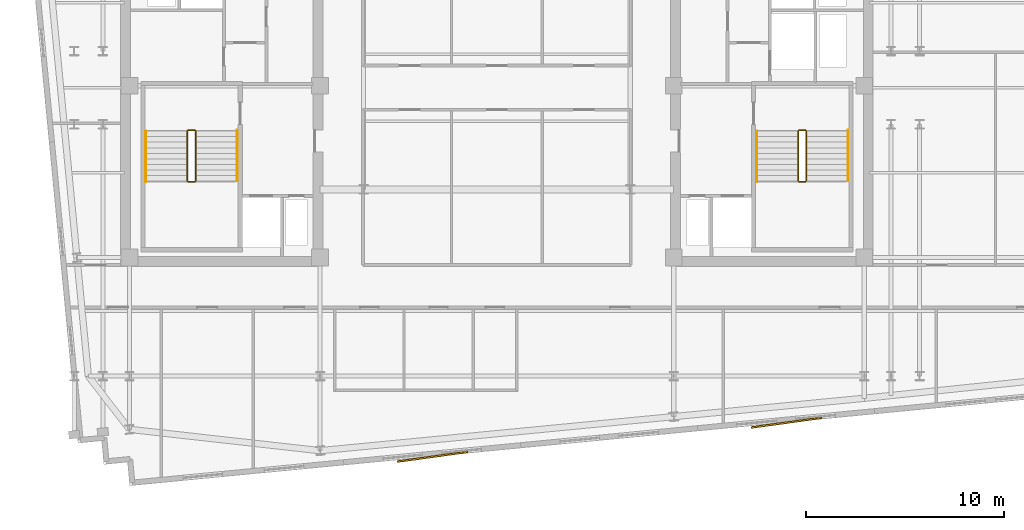
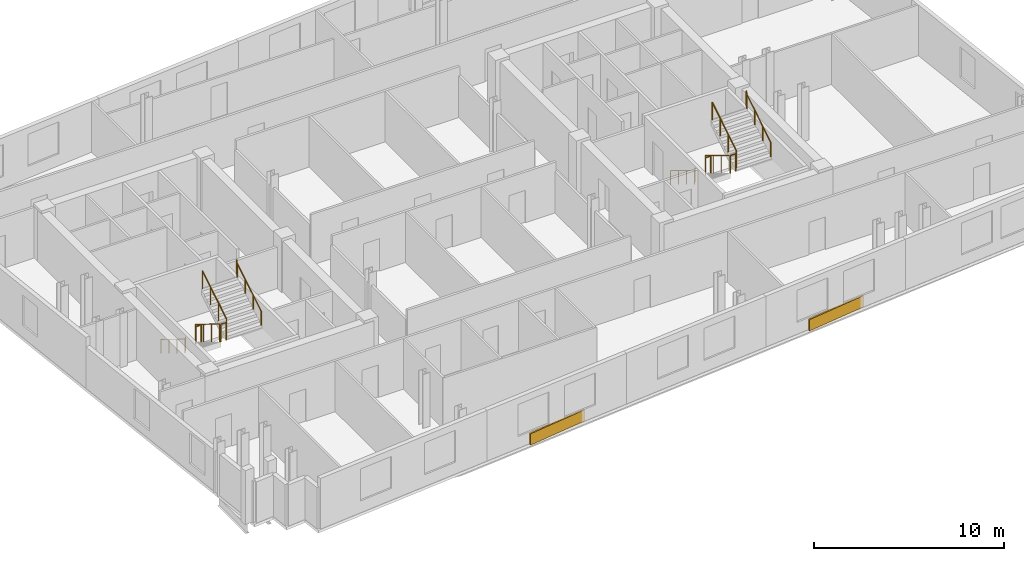
# One storey, part 8 of 9: 12 railings, 2 coverings.
"""IFC4 building model written with IfcOpenShell, lengths in metres."""

from ifc_helpers import new_model, si_unit, direction, frame, origin, origin_2d, place, context, subcontext, project, spatial, rectangle, circle, extrude, material, layer, layer_set, type_object, element, save


model = new_model("IFC4")

# Units and contexts
model_context = context("Model", 3, precision=1e-05, world=origin(), true_north=direction((0.0, 1.0)))
body_context = subcontext(model_context, "Body", "Model", "MODEL_VIEW")
ifc_project = project(units=[si_unit("LENGTHUNIT", "METRE"), si_unit("AREAUNIT", "SQUARE_METRE"), si_unit("VOLUMEUNIT", "CUBIC_METRE"), si_unit("PLANEANGLEUNIT", "RADIAN"), si_unit("MASSUNIT", "GRAM", prefix="KILO")], contexts=[model_context])

# Site, building, storey
site_placement = place(None, origin())
site = spatial("IfcSite", under=ifc_project, at=site_placement, CompositionType="ELEMENT")
building_placement = place(site_placement, origin())
building = spatial("IfcBuilding", under=site, at=building_placement, Name="Velakula Bourse", CompositionType="ELEMENT")
storey_placement = place(building_placement, frame((0.0, 0.0, 272.39990234375)))
storey = spatial("IfcBuildingStorey", under=building, at=storey_placement, Name="L74", CompositionType="ELEMENT", Elevation=272.39990234375)

# Coverings
ifc_material_1 = material(Name="Buff kilned clay facing brick masonry", Category="masonry")
ifc_layer = layer(ifc_material_1, 0.074951171875, Name="Buff kilned clay facing brick masonry", Category="masonry")
ifc_layer_set = layer_set([ifc_layer], Name="Buff kilned clay facing brick masonry")
covering_type = type_object("IfcCoveringType", Name="COV-BRK-SPN-75", PredefinedType="CLADDING", material=ifc_layer_set)
for number, where, z_axis, x_axis, name in (
    (1, (-3.26220703125, -18.68115234375, 0.0), (0.0, 0.0, 1.0), (0.990629029058, 0.136580111242, 0.0), "L74 Folded Brick Facade Cladding Panel S-B2"),
    (2, (14.655029296875, -16.955810546875, 0.0), (0.0, 0.0, 1.0), (0.990629029058, 0.136580111242, 0.0), "L74 Folded Brick Facade Cladding Panel S-B4"),
):
    element("IfcCovering", number, at=place(storey_placement, frame(where, z_axis=z_axis, x_axis=x_axis)), inside=storey, type_object=covering_type, Name=name, PredefinedType="CLADDING", context=body_context, shape_type="SweptSolid", body=[
        extrude(rectangle(XDim=3.60009765625, YDim=0.090087890625, at=origin_2d()), origin(), (0.0, 0.0, 1.0), 0.719970703125),
    ])

# Railings
ifc_material_2 = material(Name="Brushed grade 316 stainless steel", Category="steel")
railing_type_1 = type_object("IfcRailingType", Name="RLG-STAIR-GUARD-1150", PredefinedType="BALUSTRADE", material=ifc_material_2)
railing_1_placement = place(storey_placement, frame((-15.672119140625, -2.199951171875, 0.172607421875)))
element("IfcRailing", 3, at=railing_1_placement, inside=storey, type_object=railing_type_1, Name="L74 ST-W1 stair guard 1", PredefinedType="BALUSTRADE", context=body_context, shape_type="SweptSolid", body=[
    extrude(circle(Radius=0.02490234375, at=origin_2d()), frame((0.0, 0.0, 1.125), z_axis=(0.0, -0.851400495292, 0.524516154772), x_axis=(1.0, 0.0, 0.0)), (0.0, 0.0, 1.0), 2.9599609375),
    extrude(circle(Radius=0.02099609375, at=origin_2d()), origin(), (0.0, 0.0, 1.0), 1.099853515625),
    extrude(circle(Radius=0.02099609375, at=origin_2d()), frame((0.0, -0.840087890625, 0.517578125)), (0.0, 0.0, 1.0), 1.099853515625),
    extrude(circle(Radius=0.02099609375, at=origin_2d()), frame((0.0, -1.679931640625, 1.034912109375)), (0.0, 0.0, 1.0), 1.099853515625),
    extrude(circle(Radius=0.02099609375, at=origin_2d()), frame((0.0, -2.52001953125, 1.552490234375)), (0.0, 0.0, 1.0), 1.099853515625),
])
railing_2_placement = place(storey_placement, frame((-15.6220703125, -4.77001953125, 1.72509765625)))
element("IfcRailing", 4, at=railing_2_placement, inside=storey, type_object=railing_type_1, Name="L74 ST-W1 stair guard 2", PredefinedType="BALUSTRADE", context=body_context, shape_type="SweptSolid", body=[
    extrude(circle(Radius=0.02490234375, at=origin_2d()), frame((0.0, 0.0, 1.125), z_axis=(1.0, 0.0, 0.0), x_axis=(0.0, 1.0, 0.0)), (0.0, 0.0, 1.0), 0.323974609375),
    extrude(circle(Radius=0.02099609375, at=origin_2d()), origin(), (0.0, 0.0, 1.0), 1.099853515625),
    extrude(circle(Radius=0.02099609375, at=origin_2d()), frame((0.323974609375, 0.0, 0.0)), (0.0, 0.0, 1.0), 1.099853515625),
])
railing_3_placement = place(storey_placement, frame((-15.248046875, -4.719970703125, 1.897705078125)))
element("IfcRailing", 5, at=railing_3_placement, inside=storey, type_object=railing_type_1, Name="L74 ST-W1 stair guard 3", PredefinedType="BALUSTRADE", context=body_context, shape_type="SweptSolid", body=[
    extrude(circle(Radius=0.02490234375, at=origin_2d()), frame((0.0, 0.0, 1.125), z_axis=(0.0, 0.851400495292, 0.524516154772), x_axis=(-1.0, 0.0, 0.0)), (0.0, 0.0, 1.0), 2.9599609375),
    extrude(circle(Radius=0.02099609375, at=origin_2d()), origin(), (0.0, 0.0, 1.0), 1.099853515625),
    extrude(circle(Radius=0.02099609375, at=origin_2d()), frame((0.0, 0.840087890625, 0.517578125)), (0.0, 0.0, 1.0), 1.099853515625),
    extrude(circle(Radius=0.02099609375, at=origin_2d()), frame((0.0, 1.679931640625, 1.034912109375)), (0.0, 0.0, 1.0), 1.099853515625),
    extrude(circle(Radius=0.02099609375, at=origin_2d()), frame((0.0, 2.52001953125, 1.552490234375)), (0.0, 0.0, 1.0), 1.099853515625),
])
railing_4_placement = place(storey_placement, frame((-15.6220703125, -2.14990234375, 0.0)))
element("IfcRailing", 6, at=railing_4_placement, inside=storey, type_object=railing_type_1, Name="L74 ST-W1 stair guard 4", PredefinedType="BALUSTRADE", context=body_context, shape_type="SweptSolid", body=[
    extrude(circle(Radius=0.02490234375, at=origin_2d()), frame((0.0, 0.0, 1.125), z_axis=(1.0, 0.0, 0.0), x_axis=(0.0, 1.0, 0.0)), (0.0, 0.0, 1.0), 0.323974609375),
    extrude(circle(Radius=0.02099609375, at=origin_2d()), origin(), (0.0, 0.0, 1.0), 1.099853515625),
    extrude(circle(Radius=0.02099609375, at=origin_2d()), frame((0.323974609375, 0.0, 0.0)), (0.0, 0.0, 1.0), 1.099853515625),
])
railing_5_placement = place(storey_placement, frame((15.248046875, -2.199951171875, 0.172607421875)))
element("IfcRailing", 7, at=railing_5_placement, inside=storey, type_object=railing_type_1, Name="L74 ST-E1 stair guard 1", PredefinedType="BALUSTRADE", context=body_context, shape_type="SweptSolid", body=[
    extrude(circle(Radius=0.02490234375, at=origin_2d()), frame((0.0, 0.0, 1.125), z_axis=(0.0, -0.851400495292, 0.524516154772), x_axis=(1.0, 0.0, 0.0)), (0.0, 0.0, 1.0), 2.9599609375),
    extrude(circle(Radius=0.02099609375, at=origin_2d()), origin(), (0.0, 0.0, 1.0), 1.099853515625),
    extrude(circle(Radius=0.02099609375, at=origin_2d()), frame((0.0, -0.840087890625, 0.517578125)), (0.0, 0.0, 1.0), 1.099853515625),
    extrude(circle(Radius=0.02099609375, at=origin_2d()), frame((0.0, -1.679931640625, 1.034912109375)), (0.0, 0.0, 1.0), 1.099853515625),
    extrude(circle(Radius=0.02099609375, at=origin_2d()), frame((0.0, -2.52001953125, 1.552490234375)), (0.0, 0.0, 1.0), 1.099853515625),
])
railing_6_placement = place(storey_placement, frame((15.298095703125, -4.77001953125, 1.72509765625)))
element("IfcRailing", 8, at=railing_6_placement, inside=storey, type_object=railing_type_1, Name="L74 ST-E1 stair guard 2", PredefinedType="BALUSTRADE", context=body_context, shape_type="SweptSolid", body=[
    extrude(circle(Radius=0.02490234375, at=origin_2d()), frame((0.0, 0.0, 1.125), z_axis=(1.0, 0.0, 0.0), x_axis=(0.0, 1.0, 0.0)), (0.0, 0.0, 1.0), 0.323974609375),
    extrude(circle(Radius=0.02099609375, at=origin_2d()), origin(), (0.0, 0.0, 1.0), 1.099853515625),
    extrude(circle(Radius=0.02099609375, at=origin_2d()), frame((0.323974609375, 0.0, 0.0)), (0.0, 0.0, 1.0), 1.099853515625),
])
railing_7_placement = place(storey_placement, frame((15.672119140625, -4.719970703125, 1.897705078125)))
element("IfcRailing", 9, at=railing_7_placement, inside=storey, type_object=railing_type_1, Name="L74 ST-E1 stair guard 3", PredefinedType="BALUSTRADE", context=body_context, shape_type="SweptSolid", body=[
    extrude(circle(Radius=0.02490234375, at=origin_2d()), frame((0.0, 0.0, 1.125), z_axis=(0.0, 0.851400495292, 0.524516154772), x_axis=(-1.0, 0.0, 0.0)), (0.0, 0.0, 1.0), 2.9599609375),
    extrude(circle(Radius=0.02099609375, at=origin_2d()), origin(), (0.0, 0.0, 1.0), 1.099853515625),
    extrude(circle(Radius=0.02099609375, at=origin_2d()), frame((0.0, 0.840087890625, 0.517578125)), (0.0, 0.0, 1.0), 1.099853515625),
    extrude(circle(Radius=0.02099609375, at=origin_2d()), frame((0.0, 1.679931640625, 1.034912109375)), (0.0, 0.0, 1.0), 1.099853515625),
    extrude(circle(Radius=0.02099609375, at=origin_2d()), frame((0.0, 2.52001953125, 1.552490234375)), (0.0, 0.0, 1.0), 1.099853515625),
])
railing_8_placement = place(storey_placement, frame((15.298095703125, -2.14990234375, 0.0)))
element("IfcRailing", 10, at=railing_8_placement, inside=storey, type_object=railing_type_1, Name="L74 ST-E1 stair guard 4", PredefinedType="BALUSTRADE", context=body_context, shape_type="SweptSolid", body=[
    extrude(circle(Radius=0.02490234375, at=origin_2d()), frame((0.0, 0.0, 1.125), z_axis=(1.0, 0.0, 0.0), x_axis=(0.0, 1.0, 0.0)), (0.0, 0.0, 1.0), 0.323974609375),
    extrude(circle(Radius=0.02099609375, at=origin_2d()), origin(), (0.0, 0.0, 1.0), 1.099853515625),
    extrude(circle(Radius=0.02099609375, at=origin_2d()), frame((0.323974609375, 0.0, 0.0)), (0.0, 0.0, 1.0), 1.099853515625),
])
railing_type_2 = type_object("IfcRailingType", Name="RLG-STAIR-HAND-920", PredefinedType="HANDRAIL", material=ifc_material_2)
railing_9_placement = place(storey_placement, frame((-17.77001953125, -2.199951171875, 0.172607421875)))
element("IfcRailing", 11, at=railing_9_placement, inside=storey, type_object=railing_type_2, Name="L74 ST-W1 stair handrail 1", PredefinedType="HANDRAIL", context=body_context, shape_type="SweptSolid", body=[
    extrude(circle(Radius=0.02099609375, at=origin_2d()), frame((0.0, 0.0, 0.89892578125), z_axis=(0.0, -0.851400495292, 0.524516154772), x_axis=(1.0, 0.0, 0.0)), (0.0, 0.0, 1.0), 2.9599609375),
    extrude(circle(Radius=0.02099609375, at=origin_2d()), frame((0.0, -2.52001953125, 2.451416015625), z_axis=(0.0, -0.22596628056, 0.974135124123), x_axis=(1.0, 0.0, 0.0)), (0.0, 0.0, 1.0), 0.17724609375),
    extrude(circle(Radius=0.02099609375, at=origin_2d()), frame((0.0, -2.56005859375, 2.6240234375), z_axis=(0.0, -1.0, 0.0), x_axis=(1.0, 0.0, 0.0)), (0.0, 0.0, 1.0), 0.0048828125),
    extrude(circle(Radius=0.02099609375, at=origin_2d()), origin(), (0.0, 0.0, 1.0), 0.8779296875),
    extrude(circle(Radius=0.02099609375, at=origin_2d()), frame((0.0, -0.840087890625, 0.517578125)), (0.0, 0.0, 1.0), 0.8779296875),
    extrude(circle(Radius=0.02099609375, at=origin_2d()), frame((0.0, -1.679931640625, 1.034912109375)), (0.0, 0.0, 1.0), 0.8779296875),
    extrude(circle(Radius=0.02099609375, at=origin_2d()), frame((0.0, -2.52001953125, 1.552490234375)), (0.0, 0.0, 1.0), 0.8779296875),
    extrude(circle(Radius=0.02099609375, at=origin_2d()), frame((0.0, -2.56005859375, 1.72509765625)), (0.0, 0.0, 1.0), 0.8779296875),
    extrude(circle(Radius=0.02099609375, at=origin_2d()), frame((0.0, -2.56494140625, 1.72509765625)), (0.0, 0.0, 1.0), 0.8779296875),
])
railing_10_placement = place(storey_placement, frame((-13.14990234375, -4.719970703125, 1.897705078125)))
element("IfcRailing", 12, at=railing_10_placement, inside=storey, type_object=railing_type_2, Name="L74 ST-W1 stair handrail 2", PredefinedType="HANDRAIL", context=body_context, shape_type="SweptSolid", body=[
    extrude(circle(Radius=0.02099609375, at=origin_2d()), frame((0.0, 0.0, 0.89892578125), z_axis=(0.0, 0.851400495292, 0.524516154772), x_axis=(-1.0, 0.0, 0.0)), (0.0, 0.0, 1.0), 2.9599609375),
    extrude(circle(Radius=0.02099609375, at=origin_2d()), frame((0.0, 2.52001953125, 2.451416015625), z_axis=(0.0, 0.226269970362, 0.974064628509), x_axis=(-1.0, 0.0, 0.0)), (0.0, 0.0, 1.0), 0.177001953125),
    extrude(circle(Radius=0.02099609375, at=origin_2d()), frame((0.0, 2.56005859375, 2.623779296875), z_axis=(0.0, 1.0, 0.0), x_axis=(-1.0, 0.0, 0.0)), (0.0, 0.0, 1.0), 0.0048828125),
    extrude(circle(Radius=0.02099609375, at=origin_2d()), origin(), (0.0, 0.0, 1.0), 0.8779296875),
    extrude(circle(Radius=0.02099609375, at=origin_2d()), frame((0.0, 0.840087890625, 0.517578125)), (0.0, 0.0, 1.0), 0.8779296875),
    extrude(circle(Radius=0.02099609375, at=origin_2d()), frame((0.0, 1.679931640625, 1.034912109375)), (0.0, 0.0, 1.0), 0.8779296875),
    extrude(circle(Radius=0.02099609375, at=origin_2d()), frame((0.0, 2.52001953125, 1.552490234375)), (0.0, 0.0, 1.0), 0.8779296875),
    extrude(circle(Radius=0.02099609375, at=origin_2d()), frame((0.0, 2.56005859375, 1.724853515625)), (0.0, 0.0, 1.0), 0.8779296875),
    extrude(circle(Radius=0.02099609375, at=origin_2d()), frame((0.0, 2.56494140625, 1.724853515625)), (0.0, 0.0, 1.0), 0.8779296875),
])
railing_11_placement = place(storey_placement, frame((13.14990234375, -2.199951171875, 0.172607421875)))
element("IfcRailing", 13, at=railing_11_placement, inside=storey, type_object=railing_type_2, Name="L74 ST-E1 stair handrail 1", PredefinedType="HANDRAIL", context=body_context, shape_type="SweptSolid", body=[
    extrude(circle(Radius=0.02099609375, at=origin_2d()), frame((0.0, 0.0, 0.89892578125), z_axis=(0.0, -0.851400495292, 0.524516154772), x_axis=(1.0, 0.0, 0.0)), (0.0, 0.0, 1.0), 2.9599609375),
    extrude(circle(Radius=0.02099609375, at=origin_2d()), frame((0.0, -2.52001953125, 2.451416015625), z_axis=(0.0, -0.22596628056, 0.974135124123), x_axis=(1.0, 0.0, 0.0)), (0.0, 0.0, 1.0), 0.17724609375),
    extrude(circle(Radius=0.02099609375, at=origin_2d()), frame((0.0, -2.56005859375, 2.6240234375), z_axis=(0.0, -1.0, 0.0), x_axis=(1.0, 0.0, 0.0)), (0.0, 0.0, 1.0), 0.0048828125),
    extrude(circle(Radius=0.02099609375, at=origin_2d()), origin(), (0.0, 0.0, 1.0), 0.8779296875),
    extrude(circle(Radius=0.02099609375, at=origin_2d()), frame((0.0, -0.840087890625, 0.517578125)), (0.0, 0.0, 1.0), 0.8779296875),
    extrude(circle(Radius=0.02099609375, at=origin_2d()), frame((0.0, -1.679931640625, 1.034912109375)), (0.0, 0.0, 1.0), 0.8779296875),
    extrude(circle(Radius=0.02099609375, at=origin_2d()), frame((0.0, -2.52001953125, 1.552490234375)), (0.0, 0.0, 1.0), 0.8779296875),
    extrude(circle(Radius=0.02099609375, at=origin_2d()), frame((0.0, -2.56005859375, 1.72509765625)), (0.0, 0.0, 1.0), 0.8779296875),
    extrude(circle(Radius=0.02099609375, at=origin_2d()), frame((0.0, -2.56494140625, 1.72509765625)), (0.0, 0.0, 1.0), 0.8779296875),
])
railing_12_placement = place(storey_placement, frame((17.77001953125, -4.719970703125, 1.897705078125)))
element("IfcRailing", 14, at=railing_12_placement, inside=storey, type_object=railing_type_2, Name="L74 ST-E1 stair handrail 2", PredefinedType="HANDRAIL", context=body_context, shape_type="SweptSolid", body=[
    extrude(circle(Radius=0.02099609375, at=origin_2d()), frame((0.0, 0.0, 0.89892578125), z_axis=(0.0, 0.851400495292, 0.524516154772), x_axis=(-1.0, 0.0, 0.0)), (0.0, 0.0, 1.0), 2.9599609375),
    extrude(circle(Radius=0.02099609375, at=origin_2d()), frame((0.0, 2.52001953125, 2.451416015625), z_axis=(0.0, 0.226269970362, 0.974064628509), x_axis=(-1.0, 0.0, 0.0)), (0.0, 0.0, 1.0), 0.177001953125),
    extrude(circle(Radius=0.02099609375, at=origin_2d()), frame((0.0, 2.56005859375, 2.623779296875), z_axis=(0.0, 1.0, 0.0), x_axis=(-1.0, 0.0, 0.0)), (0.0, 0.0, 1.0), 0.0048828125),
    extrude(circle(Radius=0.02099609375, at=origin_2d()), origin(), (0.0, 0.0, 1.0), 0.8779296875),
    extrude(circle(Radius=0.02099609375, at=origin_2d()), frame((0.0, 0.840087890625, 0.517578125)), (0.0, 0.0, 1.0), 0.8779296875),
    extrude(circle(Radius=0.02099609375, at=origin_2d()), frame((0.0, 1.679931640625, 1.034912109375)), (0.0, 0.0, 1.0), 0.8779296875),
    extrude(circle(Radius=0.02099609375, at=origin_2d()), frame((0.0, 2.52001953125, 1.552490234375)), (0.0, 0.0, 1.0), 0.8779296875),
    extrude(circle(Radius=0.02099609375, at=origin_2d()), frame((0.0, 2.56005859375, 1.724853515625)), (0.0, 0.0, 1.0), 0.8779296875),
    extrude(circle(Radius=0.02099609375, at=origin_2d()), frame((0.0, 2.56494140625, 1.724853515625)), (0.0, 0.0, 1.0), 0.8779296875),
])

save(model, "model.ifc")
